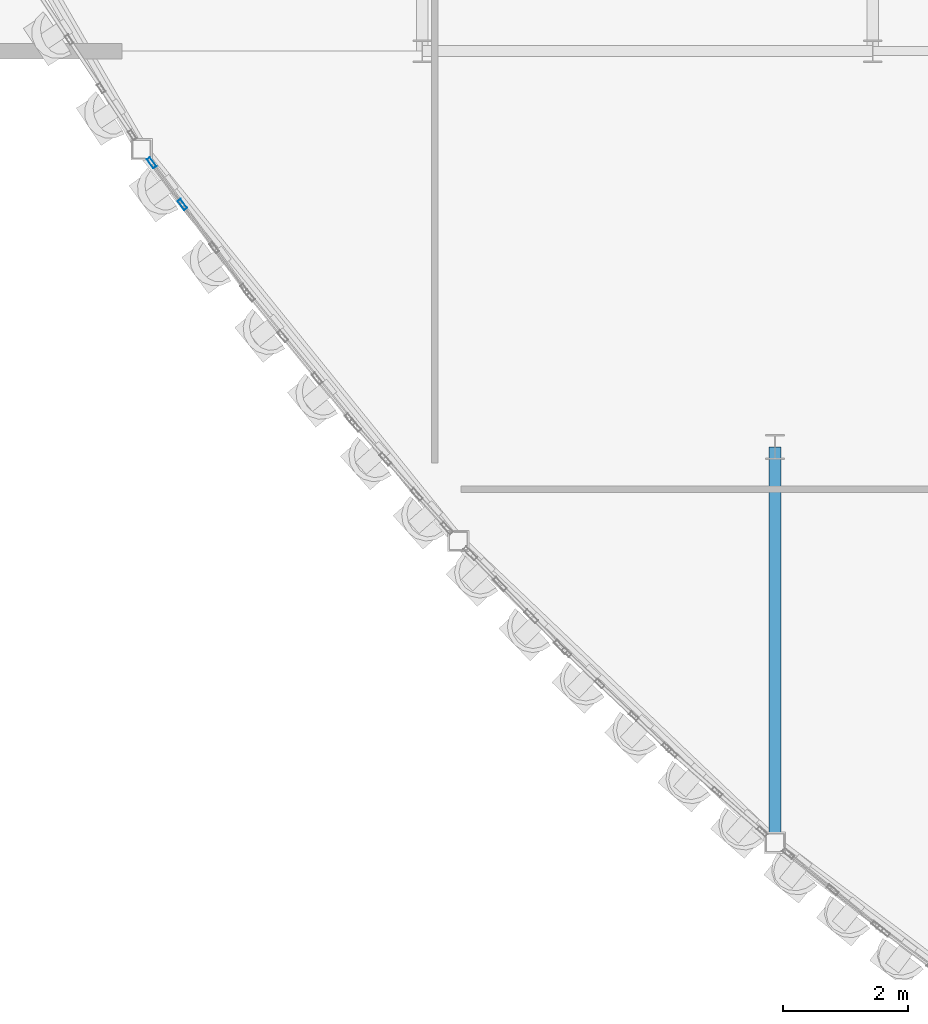
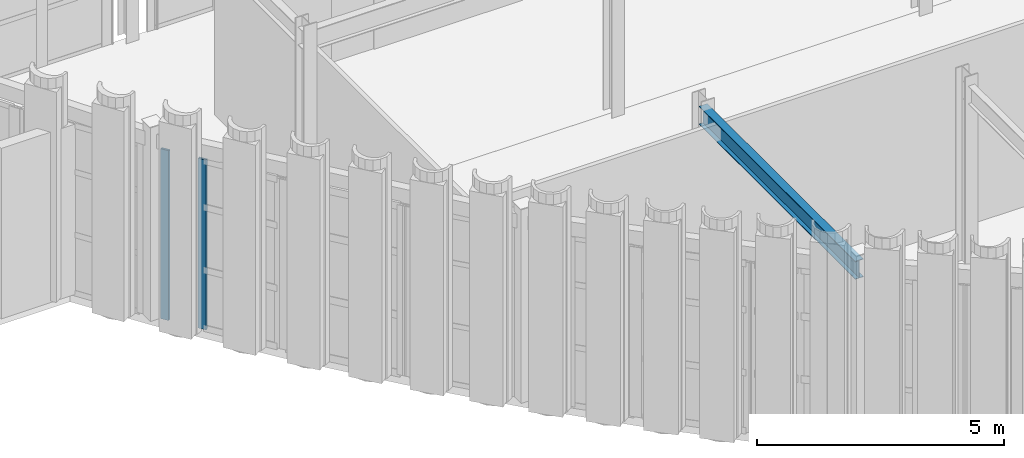
# One storey, part 22 of 126: 2 members, 1 beam, 1 element without a shape of its own.
"""IFC4 building model written with IfcOpenShell, lengths in metres."""

from ifc_helpers import new_model, si_unit, direction, frame, origin, origin_2d, place, context, subcontext, project, spatial, hollow_rectangle, i_section, extrude, material, layer, layer_set, material_profile, profile_set, type_object, element, aggregate, save


model = new_model("IFC4")

# Units and contexts
model_context = context("Model", 3, precision=1e-05, world=origin(), true_north=direction((0.0, 1.0)))
body_context = subcontext(model_context, "Body", "Model", "MODEL_VIEW")
ifc_project = project(units=[si_unit("LENGTHUNIT", "METRE"), si_unit("AREAUNIT", "SQUARE_METRE"), si_unit("VOLUMEUNIT", "CUBIC_METRE"), si_unit("PLANEANGLEUNIT", "RADIAN"), si_unit("MASSUNIT", "GRAM", prefix="KILO")], contexts=[model_context])

# Site, building, storey
site_placement = place(None, origin())
site = spatial("IfcSite", under=ifc_project, at=site_placement, CompositionType="ELEMENT")
building_placement = place(site_placement, origin())
building = spatial("IfcBuilding", under=site, at=building_placement, Name="Solvadek Multi-Sports Hall", CompositionType="ELEMENT")
storey_placement = place(building_placement, frame((0.0, 0.0, 9.60009765625)))
storey = spatial("IfcBuildingStorey", under=building, at=storey_placement, Name="L02", CompositionType="ELEMENT", Elevation=9.60009765625)

# Curtain wall, members
ifc_material_1 = material(Name="Anodised aluminium", Category="aluminium")
ifc_layer = layer(ifc_material_1, 0.159912109375, Name="Anodised aluminium")
ifc_layer_set = layer_set([ifc_layer], Name="Anodised aluminium")
curtain_wall_type = type_object("IfcCurtainWallType", Name="ENV-CW-257X420", PredefinedType="USERDEFINED", material=ifc_layer_set)
curtain_wall_placement = place(storey_placement, origin())
curtain_wall = element("IfcCurtainWall", 1, at=curtain_wall_placement, inside=storey, type_object=curtain_wall_type, Name="L02 Crescent Curved Curtain Wall #8", ObjectType="CURTAIN WALL", PredefinedType="USERDEFINED")
ifc_material_profile_1 = material_profile(ifc_material_1, hollow_rectangle(XDim=0.06005859375, YDim=0.179931640625, WallThickness=0.00390625, at=origin_2d()), Name="ALU-M 180x60x4")
ifc_profile_set_1 = profile_set([ifc_material_profile_1], Name="Anodised aluminium")
member_type = type_object("IfcMemberType", Name="ENV-CWM-02", PredefinedType="MULLION", material=ifc_profile_set_1)
member_1_placement = place(storey_placement, frame((31.67529296875, 11.4150390625, 0.0), z_axis=(0.0, 0.0, 1.0), x_axis=(0.805090014572, 0.593152651883, 0.0)))
member_1 = element("IfcMember", 2, at=member_1_placement, type_object=member_type, Name="CW-04 mullion 1", PredefinedType="MULLION", context=body_context, shape_type="SweptSolid", body=[
    extrude(hollow_rectangle(XDim=0.06005859375, YDim=0.179931640625, WallThickness=0.00390625, at=origin_2d()), origin(), (0.0, 0.0, 1.0), 4.199951171875),
])
member_2_placement = place(storey_placement, frame((32.16650390625, 10.74853515625, 0.0), z_axis=(0.0, 0.0, 1.0), x_axis=(0.805090014572, 0.593152651883, 0.0)))
member_2 = element("IfcMember", 3, at=member_2_placement, type_object=member_type, Name="CW-04 mullion 2", PredefinedType="MULLION", context=body_context, shape_type="SweptSolid", body=[
    extrude(hollow_rectangle(XDim=0.06005859375, YDim=0.179931640625, WallThickness=0.00390625, at=origin_2d()), origin(), (0.0, 0.0, 1.0), 4.199951171875),
])
aggregate(curtain_wall, [member_1, member_2])

# Beam
ifc_material_2 = material(Name="Steel E350 (350 MPa)", Category="steel")
ifc_material_profile_2 = material_profile(ifc_material_2, i_section(OverallWidth=0.18994140625, OverallDepth=0.449951171875, WebThickness=0.009521484375, FlangeThickness=0.0146484375, at=origin_2d()), Name="NPB 450")
ifc_profile_set_2 = profile_set([ifc_material_profile_2], Name="Steel E350 (350 MPa)")
beam_type = type_object("IfcBeamType", Name="STR-BM-NPB450", PredefinedType="BEAM", material=ifc_profile_set_2)
beam_placement = place(storey_placement, frame((41.636474609375, 0.54541015625, 4.3349609375), z_axis=(0.0, 1.0, 0.0), x_axis=(-1.0, 0.0, 0.0)))
element("IfcBeam", 4, at=beam_placement, inside=storey, type_object=beam_type, Name="L02 Girder B-08 #1507", PredefinedType="BEAM", context=body_context, shape_type="SweptSolid", body=[
    extrude(i_section(OverallWidth=0.18994140625, OverallDepth=0.449951171875, WebThickness=0.009521484375, FlangeThickness=0.0146484375, at=origin_2d()), origin(), (0.0, 0.0, 1.0), 6.3271484375),
])

save(model, "model.ifc")
